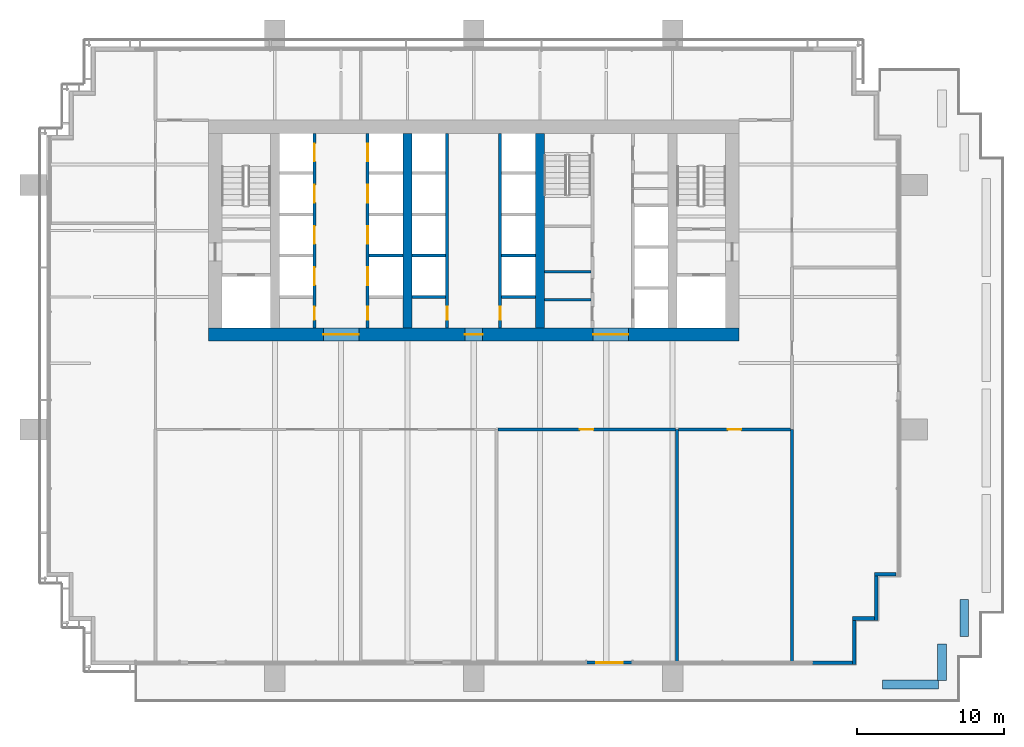
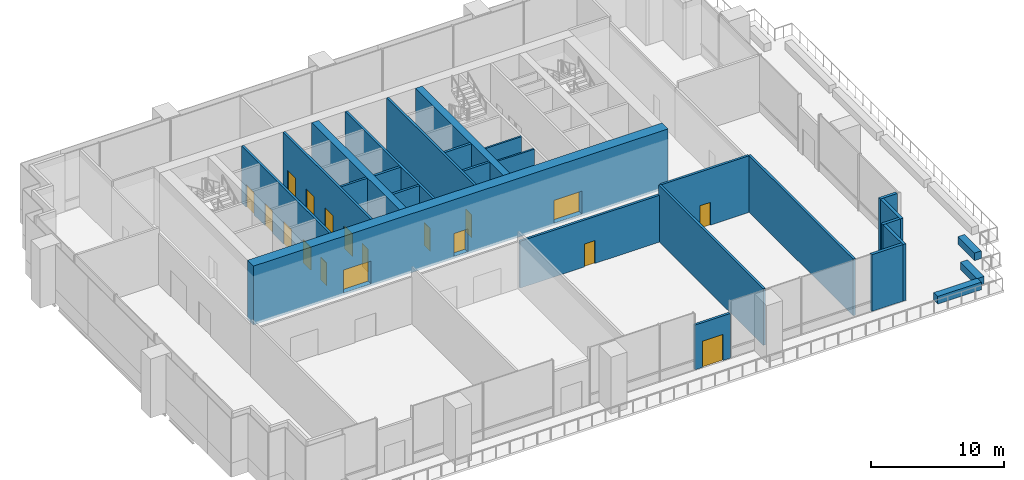
# One storey, part 8 of 14: 27 walls, 18 doors, 18 openings.
"""IFC4 building model written with IfcOpenShell, lengths in metres."""

from ifc_helpers import new_model, si_unit, direction, frame, frame_2d, origin, place, context, subcontext, project, spatial, rectangle, extrude, material, layer, layer_set, type_object, element, fill, save


model = new_model("IFC4")

# Units and contexts
model_context = context("Model", 3, precision=1e-05, world=origin(), true_north=direction((0.0, 1.0)))
body_context = subcontext(model_context, "Body", "Model", "MODEL_VIEW")
ifc_project = project(units=[si_unit("LENGTHUNIT", "METRE"), si_unit("AREAUNIT", "SQUARE_METRE"), si_unit("VOLUMEUNIT", "CUBIC_METRE"), si_unit("PLANEANGLEUNIT", "RADIAN"), si_unit("MASSUNIT", "GRAM", prefix="KILO")], contexts=[model_context])

# Site, building, storey
site_placement = place(None, origin())
site = spatial("IfcSite", under=ifc_project, at=site_placement, CompositionType="ELEMENT")
building_placement = place(site_placement, origin())
building = spatial("IfcBuilding", under=site, at=building_placement, Name="Rattan Terrace Tower", CompositionType="ELEMENT")
storey_placement = place(building_placement, frame((0.0, 0.0, 120.699951171875)))
storey = spatial("IfcBuildingStorey", under=building, at=storey_placement, Name="L27", CompositionType="ELEMENT", Elevation=120.699951171875)

# Walls
ifc_material_1 = material(Name="Gypsum board partition")
ifc_layer_1 = layer(ifc_material_1, 0.14990234375)
ifc_layer_set_1 = layer_set([ifc_layer_1], Name="Core partition 150")
wall_type_1 = type_object("IfcWallType", Name="Core partition 150", PredefinedType="PARTITIONING", material=ifc_layer_set_1)
for number, where, z_axis, x_axis, name in (
    (1, (4.800048828125, -4.696044921875, 0.0), (0.0, 0.0, 1.0), (1.0, 0.0, 0.0), "Toilet wall"),
    (2, (4.800048828125, -2.7919921875, 0.0), (0.0, 0.0, 1.0), (1.0, 0.0, 0.0), "Toilet wall"),
):
    element("IfcWall", number, at=place(storey_placement, frame(where, z_axis=z_axis, x_axis=x_axis)), inside=storey, type_object=wall_type_1, Name=name, PredefinedType="PARTITIONING", context=body_context, shape_type="SweptSolid", body=[
        extrude(rectangle(XDim=3.14990234375, YDim=0.14990234375, at=frame_2d((1.574951171875, 0.0))), origin(), (0.0, 0.0, 1.0), 5.199951171875),
    ])

# Wall, openings, doors
ifc_material_2 = material(Name="Concrete C60/75", Category="concrete")
ifc_layer_2 = layer(ifc_material_2, 0.89990234375)
ifc_layer_set_2 = layer_set([ifc_layer_2], Name="Core ring wall 900 C60/75")
wall_type_2 = type_object("IfcWallType", Name="Core ring wall 900 C60/75", PredefinedType="SHEAR", material=ifc_layer_set_2)
wall_1_placement = place(storey_placement, frame((-18.0, -7.050048828125, -0.199951171875), z_axis=(0.0, 0.0, 1.0), x_axis=(1.0, 0.0, 0.0)))
wall_1 = element("IfcWall", 3, at=wall_1_placement, inside=storey, type_object=wall_type_2, Name="Rear core wall south", PredefinedType="SHEAR", context=body_context, shape_type="SweptSolid", body=[
    extrude(rectangle(XDim=36.0, YDim=0.89990234375, at=frame_2d((18.0, 0.0))), origin(), (0.0, 0.0, 1.0), 5.39990234375),
])
opening_1_placement = place(wall_1_placement, frame((7.800048828125, 0.0, 0.199951171875)))
opening_1 = element("IfcOpeningElement", 4, at=opening_1_placement, cuts=wall_1, Name="Opening L27-D007", PredefinedType="OPENING", context=body_context, shape_type="SweptSolid", body=[
    extrude(rectangle(XDim=2.39990234375, YDim=2.10009765625, at=frame_2d((1.199951171875, 1.050048828125))), frame((0.0, 0.46044921875, 0.0), z_axis=(0.0, -1.0, 0.0), x_axis=(1.0, 0.0, 0.0)), (0.0, 0.0, 1.0), 0.9208984375),
])
opening_2_placement = place(wall_1_placement, frame((17.39990234375, 0.0, 0.199951171875)))
opening_2 = element("IfcOpeningElement", 5, at=opening_2_placement, cuts=wall_1, Name="Opening L27-D010", PredefinedType="OPENING", context=body_context, shape_type="SweptSolid", body=[
    extrude(rectangle(XDim=1.199951171875, YDim=2.10009765625, at=frame_2d((0.60009765625, 1.050048828125))), frame((0.0, 0.46044921875, 0.0), z_axis=(0.0, -1.0, 0.0), x_axis=(1.0, 0.0, 0.0)), (0.0, 0.0, 1.0), 0.9208984375),
])
opening_3_placement = place(wall_1_placement, frame((26.10009765625, 0.0, 0.199951171875)))
opening_3 = element("IfcOpeningElement", 6, at=opening_3_placement, cuts=wall_1, Name="Opening L27-D015", PredefinedType="OPENING", context=body_context, shape_type="SweptSolid", body=[
    extrude(rectangle(XDim=2.39990234375, YDim=2.10009765625, at=frame_2d((1.199951171875, 1.050048828125))), frame((0.0, 0.46044921875, 0.0), z_axis=(0.0, -1.0, 0.0), x_axis=(1.0, 0.0, 0.0)), (0.0, 0.0, 1.0), 0.9208984375),
])
ifc_material_3 = material(Name="Hollow-metal fire door leaf")
door_type_1 = type_object("IfcDoorType", Name="Core lift lobby door 2400", OperationType="NOTDEFINED", PredefinedType="DOOR", material=ifc_material_3)
door_1_placement = place(opening_1_placement, origin())
door_1 = element("IfcDoor", 7, at=door_1_placement, inside=storey, type_object=door_type_1, Name="Door L27-D007", OperationType="DOUBLE_DOOR_DOUBLE_SWING", OverallHeight=2.10009765625, OverallWidth=2.39990234375, PredefinedType="DOOR", context=body_context, shape_type="SweptSolid", body=[
    extrude(rectangle(XDim=2.39990234375, YDim=2.10009765625, at=frame_2d((1.199951171875, 1.050048828125))), frame((0.0, 0.02490234375, 0.0), z_axis=(0.0, -1.0, 0.0), x_axis=(1.0, 0.0, 0.0)), (0.0, 0.0, 1.0), 0.050048828125),
])
fill(opening_1, door_1)
door_2_placement = place(opening_3_placement, origin())
door_2 = element("IfcDoor", 8, at=door_2_placement, inside=storey, type_object=door_type_1, Name="Door L27-D015", OperationType="DOUBLE_DOOR_DOUBLE_SWING", OverallHeight=2.10009765625, OverallWidth=2.39990234375, PredefinedType="DOOR", context=body_context, shape_type="SweptSolid", body=[
    extrude(rectangle(XDim=2.39990234375, YDim=2.10009765625, at=frame_2d((1.199951171875, 1.050048828125))), frame((0.0, 0.02490234375, 0.0), z_axis=(0.0, -1.0, 0.0), x_axis=(1.0, 0.0, 0.0)), (0.0, 0.0, 1.0), 0.050048828125),
])
fill(opening_3, door_2)
ifc_material_4 = material(Name="Hollow-metal fire door leaf")
door_type_2 = type_object("IfcDoorType", Name="Core riser door 1200", OperationType="NOTDEFINED", PredefinedType="DOOR", material=ifc_material_4)
door_3_placement = place(opening_2_placement, origin())
door_3 = element("IfcDoor", 9, at=door_3_placement, inside=storey, type_object=door_type_2, Name="Door L27-D010", OperationType="SINGLE_SWING_LEFT", OverallHeight=2.10009765625, OverallWidth=1.199951171875, PredefinedType="DOOR", context=body_context, shape_type="SweptSolid", body=[
    extrude(rectangle(XDim=1.199951171875, YDim=2.10009765625, at=frame_2d((0.60009765625, 1.050048828125))), frame((0.0, 0.02490234375, 0.0), z_axis=(0.0, -1.0, 0.0), x_axis=(1.0, 0.0, 0.0)), (0.0, 0.0, 1.0), 0.050048828125),
])
fill(opening_2, door_3)

# Walls
ifc_material_5 = material(Name="Concrete C60/75", Category="concrete")
ifc_layer_3 = layer(ifc_material_5, 0.60009765625)
ifc_layer_set_3 = layer_set([ifc_layer_3], Name="Core spine wall 600 C60/75")
wall_type_3 = type_object("IfcWallType", Name="Core spine wall 600 C60/75", PredefinedType="SHEAR", material=ifc_layer_set_3)
for number, where, z_axis, x_axis, name in (
    (10, (-4.5, -6.60009765625, -0.199951171875), (0.0, 0.0, 1.0), (0.0, 1.0, 0.0), "Core spine wall 2"),
    (11, (4.5, -6.60009765625, -0.199951171875), (0.0, 0.0, 1.0), (0.0, 1.0, 0.0), "Core spine wall 3"),
):
    element("IfcWall", number, at=place(storey_placement, frame(where, z_axis=z_axis, x_axis=x_axis)), inside=storey, type_object=wall_type_3, Name=name, PredefinedType="SHEAR", context=body_context, shape_type="SweptSolid", body=[
        extrude(rectangle(XDim=13.2001953125, YDim=0.60009765625, at=frame_2d((6.60009765625, 0.0))), origin(), (0.0, 0.0, 1.0), 5.39990234375),
    ])

# Wall, opening, door
ifc_material_6 = material(Name="Insulated aluminium-clad stud wall", Category="aluminium")
ifc_layer_4 = layer(ifc_material_6, 0.199951171875)
ifc_layer_set_4 = layer_set([ifc_layer_4], Name="Facade Door Wall 200")
wall_type_4 = type_object("IfcWallType", Name="Facade Door Wall 200", PredefinedType="SOLIDWALL", material=ifc_layer_set_4)
wall_2_placement = place(storey_placement, frame((7.669921875, -29.330078125, 0.0), z_axis=(0.0, 0.0, 1.0), x_axis=(1.0, 0.0, 0.0)))
wall_2 = element("IfcWall", 12, at=wall_2_placement, inside=storey, type_object=wall_type_4, Name="Terrace door wall L27-24", PredefinedType="SOLIDWALL", context=body_context, shape_type="SweptSolid", body=[
    extrude(rectangle(XDim=3.067138671875, YDim=0.199951171875, at=frame_2d((1.53369140625, 0.0))), origin(), (0.0, 0.0, 1.0), 4.10009765625),
])
opening_4_placement = place(wall_2_placement, frame((0.633544921875, 0.0, 0.0)))
opening_4 = element("IfcOpeningElement", 13, at=opening_4_placement, cuts=wall_2, Name="Opening L27-D704", PredefinedType="OPENING", context=body_context, shape_type="SweptSolid", body=[
    extrude(rectangle(XDim=1.800048828125, YDim=2.39990234375, at=frame_2d((0.89990234375, 1.199951171875))), frame((0.0, 0.110595703125, 0.0), z_axis=(0.0, -1.0, 0.0), x_axis=(1.0, 0.0, 0.0)), (0.0, 0.0, 1.0), 0.220947265625),
])
ifc_material_7 = material(Name="Aluminium and clear glass", Category="aluminium")
door_type_3 = type_object("IfcDoorType", Name="Facade Terrace Door 1800", OperationType="DOUBLE_DOOR_SINGLE_SWING", PredefinedType="DOOR", material=ifc_material_7)
door_4_placement = place(opening_4_placement, origin())
door_4 = element("IfcDoor", 14, at=door_4_placement, inside=storey, type_object=door_type_3, Name="Terrace door L27-D704", OperationType="DOUBLE_DOOR_SINGLE_SWING", OverallHeight=2.39990234375, OverallWidth=1.800048828125, PredefinedType="DOOR", context=body_context, shape_type="SweptSolid", body=[
    extrude(rectangle(XDim=1.800048828125, YDim=2.39990234375, at=frame_2d((0.89990234375, 1.199951171875))), frame((0.0, 0.02490234375, 0.0), z_axis=(0.0, -1.0, 0.0), x_axis=(1.0, 0.0, 0.0)), (0.0, 0.0, 1.0), 0.050048828125),
])
fill(opening_4, door_4)

# Walls
ifc_material_8 = material(Name="Precast concrete C30/37", Category="concrete")
ifc_layer_5 = layer(ifc_material_8, 0.60009765625)
ifc_layer_set_5 = layer_set([ifc_layer_5], Name="Facade Planter Wall 600")
wall_type_5 = type_object("IfcWallType", Name="Facade Planter Wall 600", PredefinedType="SOLIDWALL", material=ifc_layer_set_5)
for number, where, z_axis, x_axis, name in (
    (15, (33.300048828125, -25.050048828125, 0.0), (0.0, 0.0, 1.0), (0.0, -1.0, 0.0), "PLANTER bed L27-7"),
    (16, (31.800048828125, -28.050048828125, 0.0), (0.0, 0.0, 1.0), (0.0, -1.0, 0.0), "PLANTER bed L27-8"),
):
    element("IfcWall", number, at=place(storey_placement, frame(where, z_axis=z_axis, x_axis=x_axis)), inside=storey, type_object=wall_type_5, Name=name, PredefinedType="SOLIDWALL", context=body_context, shape_type="SweptSolid", body=[
        extrude(rectangle(XDim=2.5, YDim=0.60009765625, at=frame_2d((1.25, 0.0))), origin(), (0.0, 0.0, 1.0), 0.699951171875),
    ])
wall_3_placement = place(storey_placement, frame((31.550048828125, -30.800048828125, 0.0), z_axis=(0.0, 0.0, 1.0), x_axis=(-1.0, 0.0, 0.0)))
element("IfcWall", 17, at=wall_3_placement, inside=storey, type_object=wall_type_5, Name="PLANTER bed L27-9", PredefinedType="SOLIDWALL", context=body_context, shape_type="SweptSolid", body=[
    extrude(rectangle(XDim=3.781982421875, YDim=0.60009765625, at=frame_2d((1.89111328125, 0.0))), origin(), (0.0, 0.0, 1.0), 0.699951171875),
])
ifc_material_9 = material(Name="Insulated aluminium-clad stud wall", Category="aluminium")
ifc_layer_6 = layer(ifc_material_9, 0.25)
ifc_layer_set_6 = layer_set([ifc_layer_6], Name="Facade Riser Wall 250")
wall_type_6 = type_object("IfcWallType", Name="Facade Riser Wall 250", PredefinedType="SOLIDWALL", material=ifc_layer_set_6)
wall_4_placement = place(storey_placement, frame((23.0, -29.330078125, 0.0), z_axis=(0.0, 0.0, 1.0), x_axis=(1.0, 0.0, 0.0)))
element("IfcWall", 18, at=wall_4_placement, inside=storey, type_object=wall_type_6, Name="Riser wall L27-1", PredefinedType="SOLIDWALL", context=body_context, shape_type="SweptSolid", body=[
    extrude(rectangle(XDim=2.705078125, YDim=0.25, at=frame_2d((1.3525390625, 0.0))), origin(), (0.0, 0.0, 1.0), 5.199951171875),
])
wall_5_placement = place(storey_placement, frame((25.830078125, -29.455078125, 0.0), z_axis=(0.0, 0.0, 1.0), x_axis=(0.0, 1.0, 0.0)))
element("IfcWall", 19, at=wall_5_placement, inside=storey, type_object=wall_type_6, Name="Riser wall L27-2", PredefinedType="SOLIDWALL", context=body_context, shape_type="SweptSolid", body=[
    extrude(rectangle(XDim=3.0, YDim=0.25, at=frame_2d((1.5, 0.0))), origin(), (0.0, 0.0, 1.0), 5.199951171875),
])
wall_6_placement = place(storey_placement, frame((25.705078125, -26.330078125, 0.0), z_axis=(0.0, 0.0, 1.0), x_axis=(1.0, 0.0, 0.0)))
element("IfcWall", 20, at=wall_6_placement, inside=storey, type_object=wall_type_6, Name="Riser wall L27-3", PredefinedType="SOLIDWALL", context=body_context, shape_type="SweptSolid", body=[
    extrude(rectangle(XDim=1.5, YDim=0.25, at=frame_2d((0.75, 0.0))), origin(), (0.0, 0.0, 1.0), 5.199951171875),
])
wall_7_placement = place(storey_placement, frame((27.330078125, -26.455078125, 0.0), z_axis=(0.0, 0.0, 1.0), x_axis=(0.0, 1.0, 0.0)))
element("IfcWall", 21, at=wall_7_placement, inside=storey, type_object=wall_type_6, Name="Riser wall L27-4", PredefinedType="SOLIDWALL", context=body_context, shape_type="SweptSolid", body=[
    extrude(rectangle(XDim=3.0, YDim=0.25, at=frame_2d((1.5, 0.0))), origin(), (0.0, 0.0, 1.0), 5.199951171875),
])
wall_8_placement = place(storey_placement, frame((27.205078125, -23.330078125, 0.0), z_axis=(0.0, 0.0, 1.0), x_axis=(1.0, 0.0, 0.0)))
element("IfcWall", 22, at=wall_8_placement, inside=storey, type_object=wall_type_6, Name="Riser wall L27-5", PredefinedType="SOLIDWALL", context=body_context, shape_type="SweptSolid", body=[
    extrude(rectangle(XDim=1.474853515625, YDim=0.25, at=frame_2d((0.7373046875, 0.0))), origin(), (0.0, 0.0, 1.0), 5.199951171875),
])

# Wall, opening, door
ifc_material_10 = material(Name="Concrete block wall, plastered", Category="concrete")
ifc_layer_7 = layer(ifc_material_10, 0.199951171875)
ifc_layer_set_7 = layer_set([ifc_layer_7], Name="Floors Plant Wall 200")
wall_type_7 = type_object("IfcWallType", Name="Floors Plant Wall 200", PredefinedType="PARTITIONING", material=ifc_layer_set_7)
wall_9_placement = place(storey_placement, frame((13.699951171875, -13.5, 0.0), z_axis=(0.0, 0.0, 1.0), x_axis=(-1.0, 0.0, 0.0)))
wall_9 = element("IfcWall", 23, at=wall_9_placement, inside=storey, type_object=wall_type_7, Name="pt-L27-005", PredefinedType="PARTITIONING", context=body_context, shape_type="SweptSolid", body=[
    extrude(rectangle(XDim=12.06689453125, YDim=0.199951171875, at=frame_2d((6.033447265625, 0.0))), origin(), (0.0, 0.0, 1.0), 4.300048828125),
])
opening_5_placement = place(wall_9_placement, frame((5.583984375, 0.0, 0.0)))
opening_5 = element("IfcOpeningElement", 24, at=opening_5_placement, cuts=wall_9, Name="Opening L27-D104", PredefinedType="OPENING", context=body_context, shape_type="SweptSolid", body=[
    extrude(rectangle(XDim=0.89990234375, YDim=2.10009765625, at=frame_2d((0.449951171875, 1.050048828125))), frame((0.0, 0.110595703125, 0.0), z_axis=(0.0, -1.0, 0.0), x_axis=(1.0, 0.0, 0.0)), (0.0, 0.0, 1.0), 0.220947265625),
])
ifc_material_11 = material(Name="Steel fire door set", Category="steel")
door_type_4 = type_object("IfcDoorType", Name="Floors Fire Door FD60 900x2100", OperationType="NOTDEFINED", PredefinedType="DOOR", material=ifc_material_11)
door_5_placement = place(opening_5_placement, origin())
door_5 = element("IfcDoor", 25, at=door_5_placement, inside=storey, type_object=door_type_4, Name="d-L27-104", OperationType="SINGLE_SWING_LEFT", OverallHeight=2.10009765625, OverallWidth=0.89990234375, PredefinedType="DOOR", context=body_context, shape_type="SweptSolid", body=[
    extrude(rectangle(XDim=0.89990234375, YDim=2.10009765625, at=frame_2d((0.449951171875, 1.050048828125))), frame((0.0, 0.02490234375, 0.0), z_axis=(0.0, -1.0, 0.0), x_axis=(1.0, 0.0, 0.0)), (0.0, 0.0, 1.0), 0.050048828125),
])
fill(opening_5, door_5)

wall_10_placement = place(storey_placement, frame((21.5, -13.5, 0.0), z_axis=(0.0, 0.0, 1.0), x_axis=(-1.0, 0.0, 0.0)))
wall_10 = element("IfcWall", 26, at=wall_10_placement, inside=storey, type_object=wall_type_7, Name="pt-L27-006", PredefinedType="PARTITIONING", context=body_context, shape_type="SweptSolid", body=[
    extrude(rectangle(XDim=7.60009765625, YDim=0.199951171875, at=frame_2d((3.800048828125, 0.0))), origin(), (0.0, 0.0, 1.0), 5.199951171875),
])
opening_6_placement = place(wall_10_placement, frame((3.35009765625, 0.0, 0.0)))
opening_6 = element("IfcOpeningElement", 27, at=opening_6_placement, cuts=wall_10, Name="Opening L27-D105", PredefinedType="OPENING", context=body_context, shape_type="SweptSolid", body=[
    extrude(rectangle(XDim=0.89990234375, YDim=2.10009765625, at=frame_2d((0.449951171875, 1.050048828125))), frame((0.0, 0.110595703125, 0.0), z_axis=(0.0, -1.0, 0.0), x_axis=(1.0, 0.0, 0.0)), (0.0, 0.0, 1.0), 0.220947265625),
])
door_6_placement = place(opening_6_placement, origin())
door_6 = element("IfcDoor", 28, at=door_6_placement, inside=storey, type_object=door_type_4, Name="d-L27-105", OperationType="SINGLE_SWING_RIGHT", OverallHeight=2.10009765625, OverallWidth=0.89990234375, PredefinedType="DOOR", context=body_context, shape_type="SweptSolid", body=[
    extrude(rectangle(XDim=0.89990234375, YDim=2.10009765625, at=frame_2d((0.449951171875, 1.050048828125))), frame((0.0, 0.02490234375, 0.0), z_axis=(0.0, -1.0, 0.0), x_axis=(1.0, 0.0, 0.0)), (0.0, 0.0, 1.0), 0.050048828125),
])
fill(opening_6, door_6)

# Walls
for number, where, z_axis, x_axis, name in (
    (29, (13.800048828125, -13.5, 0.0), (0.0, 0.0, 1.0), (0.0, -1.0, 0.0), "pt-L27-016"),
    (30, (21.60009765625, -13.5, 0.0), (0.0, 0.0, 1.0), (0.0, -1.0, 0.0), "pt-L27-017"),
):
    element("IfcWall", number, at=place(storey_placement, frame(where, z_axis=z_axis, x_axis=x_axis)), inside=storey, type_object=wall_type_7, Name=name, PredefinedType="PARTITIONING", context=body_context, shape_type="SweptSolid", body=[
        extrude(rectangle(XDim=15.739990234375, YDim=0.199951171875, at=frame_2d((7.8701171875, 0.0))), origin(), (0.0, 0.0, 1.0), 5.199951171875),
    ])

# Wall, openings, doors
ifc_material_12 = material(Name="Gypsum shaft wall system")
ifc_layer_8 = layer(ifc_material_12, 0.199951171875)
ifc_layer_set_8 = layer_set([ifc_layer_8], Name="Lift shaft wall 200")
wall_type_8 = type_object("IfcWallType", Name="Lift shaft wall 200", PredefinedType="PARTITIONING", material=ifc_layer_set_8)
wall_11_placement = place(storey_placement, frame((-10.800048828125, -6.60009765625, 0.0), z_axis=(0.0, 0.0, 1.0), x_axis=(0.0, 1.0, 0.0)))
wall_11 = element("IfcWall", 31, at=wall_11_placement, inside=storey, type_object=wall_type_8, Name="Lift shaft front wall", PredefinedType="PARTITIONING", context=body_context, shape_type="SweptSolid", body=[
    extrude(rectangle(XDim=13.2001953125, YDim=0.199951171875, at=frame_2d((6.60009765625, 0.0))), origin(), (0.0, 0.0, 1.0), 5.199951171875),
])
opening_7_placement = place(wall_11_placement, frame((0.550048828125, 0.0, 0.0)))
opening_7 = element("IfcOpeningElement", 32, at=opening_7_placement, cuts=wall_11, Name="Opening L27-D005", PredefinedType="OPENING", context=body_context, shape_type="SweptSolid", body=[
    extrude(rectangle(XDim=0.89990234375, YDim=2.10009765625, at=frame_2d((0.449951171875, 1.050048828125))), frame((0.0, 0.110595703125, 0.0), z_axis=(0.0, -1.0, 0.0), x_axis=(1.0, 0.0, 0.0)), (0.0, 0.0, 1.0), 0.220947265625),
])
opening_8_placement = place(wall_11_placement, frame((2.89990234375, 0.0, 0.0)))
opening_8 = element("IfcOpeningElement", 33, at=opening_8_placement, cuts=wall_11, Name="Opening L27-LD-LR1", PredefinedType="OPENING", context=body_context, shape_type="SweptSolid", body=[
    extrude(rectangle(XDim=1.199951171875, YDim=2.10009765625, at=frame_2d((0.60009765625, 1.050048828125))), frame((0.0, 0.110595703125, 0.0), z_axis=(0.0, -1.0, 0.0), x_axis=(1.0, 0.0, 0.0)), (0.0, 0.0, 1.0), 0.220947265625),
])
opening_9_placement = place(wall_11_placement, frame((5.699951171875, 0.0, 0.0)))
opening_9 = element("IfcOpeningElement", 34, at=opening_9_placement, cuts=wall_11, Name="Opening L27-LD-LR2", PredefinedType="OPENING", context=body_context, shape_type="SweptSolid", body=[
    extrude(rectangle(XDim=1.199951171875, YDim=2.10009765625, at=frame_2d((0.60009765625, 1.050048828125))), frame((0.0, 0.110595703125, 0.0), z_axis=(0.0, -1.0, 0.0), x_axis=(1.0, 0.0, 0.0)), (0.0, 0.0, 1.0), 0.220947265625),
])
opening_10_placement = place(wall_11_placement, frame((8.5, 0.0, 0.0)))
opening_10 = element("IfcOpeningElement", 35, at=opening_10_placement, cuts=wall_11, Name="Opening L27-LD-LR3", PredefinedType="OPENING", context=body_context, shape_type="SweptSolid", body=[
    extrude(rectangle(XDim=1.199951171875, YDim=2.10009765625, at=frame_2d((0.60009765625, 1.050048828125))), frame((0.0, 0.110595703125, 0.0), z_axis=(0.0, -1.0, 0.0), x_axis=(1.0, 0.0, 0.0)), (0.0, 0.0, 1.0), 0.220947265625),
])
opening_11_placement = place(wall_11_placement, frame((11.300048828125, 0.0, 0.0)))
opening_11 = element("IfcOpeningElement", 36, at=opening_11_placement, cuts=wall_11, Name="Opening L27-LD-LR4", PredefinedType="OPENING", context=body_context, shape_type="SweptSolid", body=[
    extrude(rectangle(XDim=1.199951171875, YDim=2.10009765625, at=frame_2d((0.60009765625, 1.050048828125))), frame((0.0, 0.110595703125, 0.0), z_axis=(0.0, -1.0, 0.0), x_axis=(1.0, 0.0, 0.0)), (0.0, 0.0, 1.0), 0.220947265625),
])
ifc_material_13 = material(Name="Brushed stainless landing door panel")
door_type_5 = type_object("IfcDoorType", Name="Core lift landing door 1200", OperationType="DOUBLE_DOOR_SLIDING", PredefinedType="DOOR", material=ifc_material_13)
door_7_placement = place(opening_8_placement, origin())
door_7 = element("IfcDoor", 37, at=door_7_placement, inside=storey, type_object=door_type_5, Name="Door L27-LD-LR1", OperationType="DOUBLE_DOOR_SLIDING", OverallHeight=2.10009765625, OverallWidth=1.199951171875, PredefinedType="DOOR", context=body_context, shape_type="SweptSolid", body=[
    extrude(rectangle(XDim=1.199951171875, YDim=2.10009765625, at=frame_2d((0.60009765625, 1.050048828125))), frame((0.0, 0.02490234375, 0.0), z_axis=(0.0, -1.0, 0.0), x_axis=(1.0, 0.0, 0.0)), (0.0, 0.0, 1.0), 0.050048828125),
])
fill(opening_8, door_7)
door_8_placement = place(opening_9_placement, origin())
door_8 = element("IfcDoor", 38, at=door_8_placement, inside=storey, type_object=door_type_5, Name="Door L27-LD-LR2", OperationType="DOUBLE_DOOR_SLIDING", OverallHeight=2.10009765625, OverallWidth=1.199951171875, PredefinedType="DOOR", context=body_context, shape_type="SweptSolid", body=[
    extrude(rectangle(XDim=1.199951171875, YDim=2.10009765625, at=frame_2d((0.60009765625, 1.050048828125))), frame((0.0, 0.02490234375, 0.0), z_axis=(0.0, -1.0, 0.0), x_axis=(1.0, 0.0, 0.0)), (0.0, 0.0, 1.0), 0.050048828125),
])
fill(opening_9, door_8)
door_9_placement = place(opening_10_placement, origin())
door_9 = element("IfcDoor", 39, at=door_9_placement, inside=storey, type_object=door_type_5, Name="Door L27-LD-LR3", OperationType="DOUBLE_DOOR_SLIDING", OverallHeight=2.10009765625, OverallWidth=1.199951171875, PredefinedType="DOOR", context=body_context, shape_type="SweptSolid", body=[
    extrude(rectangle(XDim=1.199951171875, YDim=2.10009765625, at=frame_2d((0.60009765625, 1.050048828125))), frame((0.0, 0.02490234375, 0.0), z_axis=(0.0, -1.0, 0.0), x_axis=(1.0, 0.0, 0.0)), (0.0, 0.0, 1.0), 0.050048828125),
])
fill(opening_10, door_9)
door_10_placement = place(opening_11_placement, origin())
door_10 = element("IfcDoor", 40, at=door_10_placement, inside=storey, type_object=door_type_5, Name="Door L27-LD-LR4", OperationType="DOUBLE_DOOR_SLIDING", OverallHeight=2.10009765625, OverallWidth=1.199951171875, PredefinedType="DOOR", context=body_context, shape_type="SweptSolid", body=[
    extrude(rectangle(XDim=1.199951171875, YDim=2.10009765625, at=frame_2d((0.60009765625, 1.050048828125))), frame((0.0, 0.02490234375, 0.0), z_axis=(0.0, -1.0, 0.0), x_axis=(1.0, 0.0, 0.0)), (0.0, 0.0, 1.0), 0.050048828125),
])
fill(opening_11, door_10)
ifc_material_14 = material(Name="Hollow-metal fire door leaf")
door_type_6 = type_object("IfcDoorType", Name="Core riser door 900", OperationType="NOTDEFINED", PredefinedType="DOOR", material=ifc_material_14)
door_11_placement = place(opening_7_placement, origin())
door_11 = element("IfcDoor", 41, at=door_11_placement, inside=storey, type_object=door_type_6, Name="Door L27-D005", OperationType="SINGLE_SWING_LEFT", OverallHeight=2.10009765625, OverallWidth=0.89990234375, PredefinedType="DOOR", context=body_context, shape_type="SweptSolid", body=[
    extrude(rectangle(XDim=0.89990234375, YDim=2.10009765625, at=frame_2d((0.449951171875, 1.050048828125))), frame((0.0, 0.02490234375, 0.0), z_axis=(0.0, -1.0, 0.0), x_axis=(1.0, 0.0, 0.0)), (0.0, 0.0, 1.0), 0.050048828125),
])
fill(opening_7, door_11)

wall_12_placement = place(storey_placement, frame((-7.199951171875, -6.60009765625, 0.0), z_axis=(0.0, 0.0, 1.0), x_axis=(0.0, 1.0, 0.0)))
wall_12 = element("IfcWall", 42, at=wall_12_placement, inside=storey, type_object=wall_type_8, Name="Lift shaft front wall", PredefinedType="PARTITIONING", context=body_context, shape_type="SweptSolid", body=[
    extrude(rectangle(XDim=13.2001953125, YDim=0.199951171875, at=frame_2d((6.60009765625, 0.0))), origin(), (0.0, 0.0, 1.0), 5.199951171875),
])
opening_12_placement = place(wall_12_placement, frame((0.550048828125, 0.0, 0.0)))
opening_12 = element("IfcOpeningElement", 43, at=opening_12_placement, cuts=wall_12, Name="Opening L27-D006", PredefinedType="OPENING", context=body_context, shape_type="SweptSolid", body=[
    extrude(rectangle(XDim=0.89990234375, YDim=2.10009765625, at=frame_2d((0.449951171875, 1.050048828125))), frame((0.0, 0.110595703125, 0.0), z_axis=(0.0, -1.0, 0.0), x_axis=(1.0, 0.0, 0.0)), (0.0, 0.0, 1.0), 0.220947265625),
])
opening_13_placement = place(wall_12_placement, frame((2.89990234375, 0.0, 0.0)))
opening_13 = element("IfcOpeningElement", 44, at=opening_13_placement, cuts=wall_12, Name="Opening L27-LD-LR5", PredefinedType="OPENING", context=body_context, shape_type="SweptSolid", body=[
    extrude(rectangle(XDim=1.199951171875, YDim=2.10009765625, at=frame_2d((0.60009765625, 1.050048828125))), frame((0.0, 0.110595703125, 0.0), z_axis=(0.0, -1.0, 0.0), x_axis=(1.0, 0.0, 0.0)), (0.0, 0.0, 1.0), 0.220947265625),
])
opening_14_placement = place(wall_12_placement, frame((5.699951171875, 0.0, 0.0)))
opening_14 = element("IfcOpeningElement", 45, at=opening_14_placement, cuts=wall_12, Name="Opening L27-LD-LR6", PredefinedType="OPENING", context=body_context, shape_type="SweptSolid", body=[
    extrude(rectangle(XDim=1.199951171875, YDim=2.10009765625, at=frame_2d((0.60009765625, 1.050048828125))), frame((0.0, 0.110595703125, 0.0), z_axis=(0.0, -1.0, 0.0), x_axis=(1.0, 0.0, 0.0)), (0.0, 0.0, 1.0), 0.220947265625),
])
opening_15_placement = place(wall_12_placement, frame((8.5, 0.0, 0.0)))
opening_15 = element("IfcOpeningElement", 46, at=opening_15_placement, cuts=wall_12, Name="Opening L27-LD-LR7", PredefinedType="OPENING", context=body_context, shape_type="SweptSolid", body=[
    extrude(rectangle(XDim=1.199951171875, YDim=2.10009765625, at=frame_2d((0.60009765625, 1.050048828125))), frame((0.0, 0.110595703125, 0.0), z_axis=(0.0, -1.0, 0.0), x_axis=(1.0, 0.0, 0.0)), (0.0, 0.0, 1.0), 0.220947265625),
])
opening_16_placement = place(wall_12_placement, frame((11.300048828125, 0.0, 0.0)))
opening_16 = element("IfcOpeningElement", 47, at=opening_16_placement, cuts=wall_12, Name="Opening L27-LD-LR8", PredefinedType="OPENING", context=body_context, shape_type="SweptSolid", body=[
    extrude(rectangle(XDim=1.199951171875, YDim=2.10009765625, at=frame_2d((0.60009765625, 1.050048828125))), frame((0.0, 0.110595703125, 0.0), z_axis=(0.0, -1.0, 0.0), x_axis=(1.0, 0.0, 0.0)), (0.0, 0.0, 1.0), 0.220947265625),
])
door_12_placement = place(opening_13_placement, origin())
door_12 = element("IfcDoor", 48, at=door_12_placement, inside=storey, type_object=door_type_5, Name="Door L27-LD-LR5", OperationType="DOUBLE_DOOR_SLIDING", OverallHeight=2.10009765625, OverallWidth=1.199951171875, PredefinedType="DOOR", context=body_context, shape_type="SweptSolid", body=[
    extrude(rectangle(XDim=1.199951171875, YDim=2.10009765625, at=frame_2d((0.60009765625, 1.050048828125))), frame((0.0, 0.02490234375, 0.0), z_axis=(0.0, -1.0, 0.0), x_axis=(1.0, 0.0, 0.0)), (0.0, 0.0, 1.0), 0.050048828125),
])
fill(opening_13, door_12)
door_13_placement = place(opening_14_placement, origin())
door_13 = element("IfcDoor", 49, at=door_13_placement, inside=storey, type_object=door_type_5, Name="Door L27-LD-LR6", OperationType="DOUBLE_DOOR_SLIDING", OverallHeight=2.10009765625, OverallWidth=1.199951171875, PredefinedType="DOOR", context=body_context, shape_type="SweptSolid", body=[
    extrude(rectangle(XDim=1.199951171875, YDim=2.10009765625, at=frame_2d((0.60009765625, 1.050048828125))), frame((0.0, 0.02490234375, 0.0), z_axis=(0.0, -1.0, 0.0), x_axis=(1.0, 0.0, 0.0)), (0.0, 0.0, 1.0), 0.050048828125),
])
fill(opening_14, door_13)
door_14_placement = place(opening_15_placement, origin())
door_14 = element("IfcDoor", 50, at=door_14_placement, inside=storey, type_object=door_type_5, Name="Door L27-LD-LR7", OperationType="DOUBLE_DOOR_SLIDING", OverallHeight=2.10009765625, OverallWidth=1.199951171875, PredefinedType="DOOR", context=body_context, shape_type="SweptSolid", body=[
    extrude(rectangle(XDim=1.199951171875, YDim=2.10009765625, at=frame_2d((0.60009765625, 1.050048828125))), frame((0.0, 0.02490234375, 0.0), z_axis=(0.0, -1.0, 0.0), x_axis=(1.0, 0.0, 0.0)), (0.0, 0.0, 1.0), 0.050048828125),
])
fill(opening_15, door_14)
door_15_placement = place(opening_16_placement, origin())
door_15 = element("IfcDoor", 51, at=door_15_placement, inside=storey, type_object=door_type_5, Name="Door L27-LD-LR8", OperationType="DOUBLE_DOOR_SLIDING", OverallHeight=2.10009765625, OverallWidth=1.199951171875, PredefinedType="DOOR", context=body_context, shape_type="SweptSolid", body=[
    extrude(rectangle(XDim=1.199951171875, YDim=2.10009765625, at=frame_2d((0.60009765625, 1.050048828125))), frame((0.0, 0.02490234375, 0.0), z_axis=(0.0, -1.0, 0.0), x_axis=(1.0, 0.0, 0.0)), (0.0, 0.0, 1.0), 0.050048828125),
])
fill(opening_16, door_15)
door_16_placement = place(opening_12_placement, origin())
door_16 = element("IfcDoor", 52, at=door_16_placement, inside=storey, type_object=door_type_6, Name="Door L27-D006", OperationType="SINGLE_SWING_RIGHT", OverallHeight=2.10009765625, OverallWidth=0.89990234375, PredefinedType="DOOR", context=body_context, shape_type="SweptSolid", body=[
    extrude(rectangle(XDim=0.89990234375, YDim=2.10009765625, at=frame_2d((0.449951171875, 1.050048828125))), frame((0.0, 0.02490234375, 0.0), z_axis=(0.0, -1.0, 0.0), x_axis=(1.0, 0.0, 0.0)), (0.0, 0.0, 1.0), 0.050048828125),
])
fill(opening_12, door_16)

# Wall
wall_13_placement = place(storey_placement, frame((-7.10009765625, -1.699951171875, 0.0), z_axis=(0.0, 0.0, 1.0), x_axis=(1.0, 0.0, 0.0)))
element("IfcWall", 53, at=wall_13_placement, inside=storey, type_object=wall_type_8, Name="Lift shaft wall", PredefinedType="PARTITIONING", context=body_context, shape_type="SweptSolid", body=[
    extrude(rectangle(XDim=2.300048828125, YDim=0.199951171875, at=frame_2d((1.14990234375, 0.0))), origin(), (0.0, 0.0, 1.0), 5.199951171875),
])

# Wall, opening, door
wall_14_placement = place(storey_placement, frame((-1.800048828125, -6.60009765625, 0.0), z_axis=(0.0, 0.0, 1.0), x_axis=(0.0, 1.0, 0.0)))
wall_14 = element("IfcWall", 54, at=wall_14_placement, inside=storey, type_object=wall_type_8, Name="Lift shaft front wall", PredefinedType="PARTITIONING", context=body_context, shape_type="SweptSolid", body=[
    extrude(rectangle(XDim=13.2001953125, YDim=0.199951171875, at=frame_2d((6.60009765625, 0.0))), origin(), (0.0, 0.0, 1.0), 5.199951171875),
])
opening_17_placement = place(wall_14_placement, frame((0.550048828125, 0.0, 0.0)))
opening_17 = element("IfcOpeningElement", 55, at=opening_17_placement, cuts=wall_14, Name="Opening L27-D008", PredefinedType="OPENING", context=body_context, shape_type="SweptSolid", body=[
    extrude(rectangle(XDim=0.89990234375, YDim=2.10009765625, at=frame_2d((0.449951171875, 1.050048828125))), frame((0.0, 0.110595703125, 0.0), z_axis=(0.0, -1.0, 0.0), x_axis=(1.0, 0.0, 0.0)), (0.0, 0.0, 1.0), 0.220947265625),
])
door_17_placement = place(opening_17_placement, origin())
door_17 = element("IfcDoor", 56, at=door_17_placement, inside=storey, type_object=door_type_6, Name="Door L27-D008", OperationType="SINGLE_SWING_LEFT", OverallHeight=2.10009765625, OverallWidth=0.89990234375, PredefinedType="DOOR", context=body_context, shape_type="SweptSolid", body=[
    extrude(rectangle(XDim=0.89990234375, YDim=2.10009765625, at=frame_2d((0.449951171875, 1.050048828125))), frame((0.0, 0.02490234375, 0.0), z_axis=(0.0, -1.0, 0.0), x_axis=(1.0, 0.0, 0.0)), (0.0, 0.0, 1.0), 0.050048828125),
])
fill(opening_17, door_17)

wall_15_placement = place(storey_placement, frame((1.800048828125, -6.60009765625, 0.0), z_axis=(0.0, 0.0, 1.0), x_axis=(0.0, 1.0, 0.0)))
wall_15 = element("IfcWall", 57, at=wall_15_placement, inside=storey, type_object=wall_type_8, Name="Lift shaft front wall", PredefinedType="PARTITIONING", context=body_context, shape_type="SweptSolid", body=[
    extrude(rectangle(XDim=13.2001953125, YDim=0.199951171875, at=frame_2d((6.60009765625, 0.0))), origin(), (0.0, 0.0, 1.0), 5.199951171875),
])
opening_18_placement = place(wall_15_placement, frame((0.550048828125, 0.0, 0.0)))
opening_18 = element("IfcOpeningElement", 58, at=opening_18_placement, cuts=wall_15, Name="Opening L27-D009", PredefinedType="OPENING", context=body_context, shape_type="SweptSolid", body=[
    extrude(rectangle(XDim=0.89990234375, YDim=2.10009765625, at=frame_2d((0.449951171875, 1.050048828125))), frame((0.0, 0.110595703125, 0.0), z_axis=(0.0, -1.0, 0.0), x_axis=(1.0, 0.0, 0.0)), (0.0, 0.0, 1.0), 0.220947265625),
])
door_18_placement = place(opening_18_placement, origin())
door_18 = element("IfcDoor", 59, at=door_18_placement, inside=storey, type_object=door_type_6, Name="Door L27-D009", OperationType="SINGLE_SWING_RIGHT", OverallHeight=2.10009765625, OverallWidth=0.89990234375, PredefinedType="DOOR", context=body_context, shape_type="SweptSolid", body=[
    extrude(rectangle(XDim=0.89990234375, YDim=2.10009765625, at=frame_2d((0.449951171875, 1.050048828125))), frame((0.0, 0.02490234375, 0.0), z_axis=(0.0, -1.0, 0.0), x_axis=(1.0, 0.0, 0.0)), (0.0, 0.0, 1.0), 0.050048828125),
])
fill(opening_18, door_18)

# Walls
for number, where, z_axis, x_axis, name in (
    (60, (-4.199951171875, -1.699951171875, 0.0), (0.0, 0.0, 1.0), (1.0, 0.0, 0.0), "Lift shaft wall"),
    (61, (-4.199951171875, -4.5, 0.0), (0.0, 0.0, 1.0), (1.0, 0.0, 0.0), "Lift shaft wall"),
    (62, (1.89990234375, -1.699951171875, 0.0), (0.0, 0.0, 1.0), (1.0, 0.0, 0.0), "Lift shaft wall"),
    (63, (1.89990234375, -4.5, 0.0), (0.0, 0.0, 1.0), (1.0, 0.0, 0.0), "Lift shaft wall"),
):
    element("IfcWall", number, at=place(storey_placement, frame(where, z_axis=z_axis, x_axis=x_axis)), inside=storey, type_object=wall_type_8, Name=name, PredefinedType="PARTITIONING", context=body_context, shape_type="SweptSolid", body=[
        extrude(rectangle(XDim=2.300048828125, YDim=0.199951171875, at=frame_2d((1.14990234375, 0.0))), origin(), (0.0, 0.0, 1.0), 5.199951171875),
    ])

save(model, "model.ifc")
